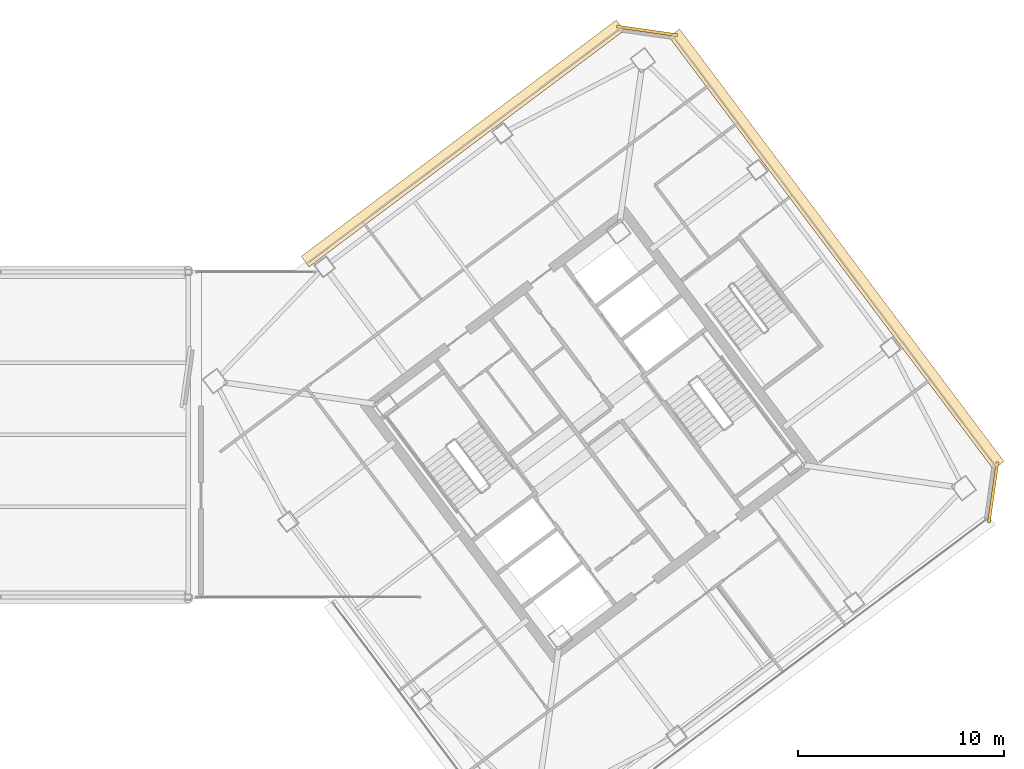
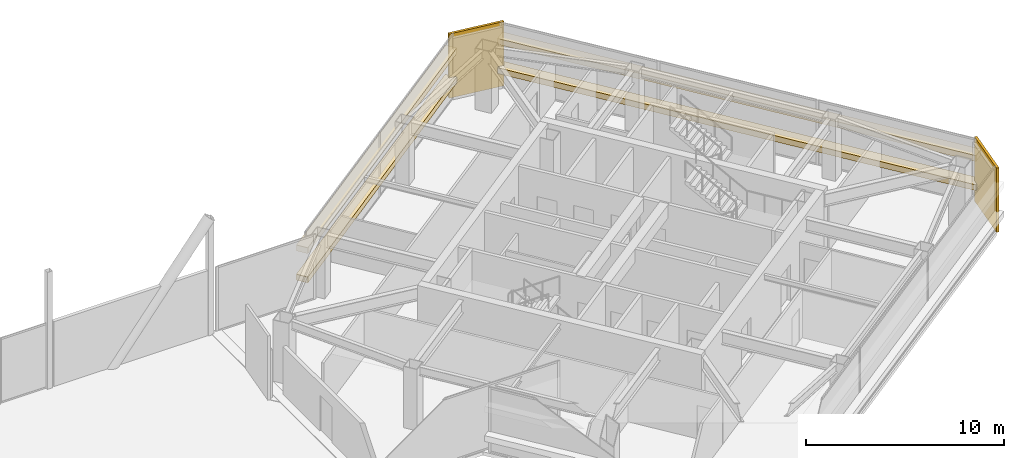
# One storey, part 52 of 53: 6 coverings.
"""IFC4 building model written with IfcOpenShell, lengths in metres."""

import ifcopenshell
import ifcopenshell.guid

model = None  # the IFC model being written
_history = None  # IfcOwnerHistory: only IFC2X3 demands one
_inside = {}  # id of a spatial element -> (the spatial element, [elements in it])
_under = {}  # id of a project, library or spatial element -> (it, [spatial elements below it])
_declared = {}  # id of a project -> (the project, [libraries it declares])
_typed = {}  # id of a type object -> (the type object, [elements of that type])
_made_of = {}  # id of a material, layer set ... -> (it, [elements and type objects made of it])


def new_model(schema):
    """Start an empty IFC model of exactly this schema.

    Asked for "IFC4X3", IfcOpenShell would pick the latest addendum, in which some entities
    have other attributes; the version numbers below select the first issue.
    IFC2X3 requires an IfcOwnerHistory on every rooted entity: one is made here for all.
    """
    global model, _history
    if schema == "IFC4X3":
        model = ifcopenshell.file(schema_version=(4, 3, 0, 0))
    else:
        model = ifcopenshell.file(schema=schema)
    _inside.clear()
    _under.clear()
    _declared.clear()
    _typed.clear()
    _made_of.clear()
    _history = None
    if model.schema == "IFC2X3":
        org = make("IfcOrganization", Name="unknown")
        user = make(
            "IfcPersonAndOrganization",
            ThePerson=make("IfcPerson", FamilyName="unknown"),
            TheOrganization=org,
        )
        app = make(
            "IfcApplication",
            ApplicationDeveloper=org,
            Version="unknown",
            ApplicationFullName="unknown",
            ApplicationIdentifier="unknown",
        )
        _history = make(
            "IfcOwnerHistory",
            OwningUser=user,
            OwningApplication=app,
            ChangeAction="ADDED",
            CreationDate=0,
        )
    return model


def make(cls, **values):
    """One entity of the class cls with the attributes given. An attribute that is None is left unset."""
    return model.create_entity(
        cls, **{name: value for name, value in values.items() if value is not None}
    )


def rooted(cls, **values):
    """An entity with a GlobalId (a new one), such as an element, a storey or a relation."""
    return make(cls, GlobalId=ifcopenshell.guid.new(), OwnerHistory=_history, **values)


def si_unit(unit_type, name, prefix=None):
    """IfcSIUnit, for example si_unit("LENGTHUNIT", "METRE", prefix="MILLI")."""
    return make("IfcSIUnit", UnitType=unit_type, Prefix=prefix, Name=name)


def assignment(units):
    """IfcUnitAssignment: the units of a project."""
    return None if units is None else make("IfcUnitAssignment", Units=units)


def point(xyz):
    """IfcCartesianPoint."""
    return None if xyz is None else make("IfcCartesianPoint", Coordinates=xyz)


def direction(xyz):
    """IfcDirection."""
    return None if xyz is None else make("IfcDirection", DirectionRatios=xyz)


def frame(location, z_axis=None, x_axis=None):
    """IfcAxis2Placement3D, a coordinate frame: its origin and axes. An axis left out is left unset."""
    return make(
        "IfcAxis2Placement3D",
        Location=point(location),
        Axis=direction(z_axis),
        RefDirection=direction(x_axis),
    )


def frame_2d(location, x_axis=None):
    """IfcAxis2Placement2D, a coordinate frame in the plane: its origin and x axis."""
    return make(
        "IfcAxis2Placement2D", Location=point(location), RefDirection=direction(x_axis)
    )


def origin():
    """The frame at (0, 0, 0) with its axes left unset."""
    return frame((0.0, 0.0, 0.0))


def origin_2d():
    """The frame at (0, 0) in the plane with its x axis left unset."""
    return frame_2d((0.0, 0.0))


def place(relative_to, where):
    """IfcLocalPlacement: puts the frame where relative to a parent placement (None: the world)."""
    return make(
        "IfcLocalPlacement", PlacementRelTo=relative_to, RelativePlacement=where
    )


def context(
    kind, dimensions, precision=None, world=None, true_north=None, identifier=None
):
    """IfcGeometricRepresentationContext, for example the 3D "Model" context."""
    return make(
        "IfcGeometricRepresentationContext",
        ContextIdentifier=identifier,
        ContextType=kind,
        CoordinateSpaceDimension=dimensions,
        Precision=precision,
        WorldCoordinateSystem=world,
        TrueNorth=true_north,
    )


def subcontext(parent, identifier, kind, view, scale=None):
    """IfcGeometricRepresentationSubContext, for example "Body" below "Model"."""
    return make(
        "IfcGeometricRepresentationSubContext",
        ContextIdentifier=identifier,
        ContextType=kind,
        ParentContext=parent,
        TargetScale=scale,
        TargetView=view,
    )


def project(units=None, contexts=None):
    """IfcProject with its units and contexts."""
    return rooted(
        "IfcProject",
        Name="project",
        RepresentationContexts=contexts,
        UnitsInContext=assignment(units),
    )


def spatial(cls, under=None, at=None, **own):
    """A site, building, storey or space (cls), placed at a placement, below another one or the project."""
    s = rooted(cls, ObjectPlacement=at, **own)
    if under is not None:
        _under.setdefault(under.id(), (under, []))[1].append(s)
    return s


def profile(cls, at=None, kind="AREA", **sizes):
    """A parametric profile (cls). Its sizes go by their IFC names, for example OverallWidth=200.0."""
    return make(cls, ProfileType=kind, Position=at, **sizes)


def rectangle(**sizes):
    """IfcRectangleProfileDef."""
    return profile("IfcRectangleProfileDef", **sizes)


def extrude(swept, where, along, depth):
    """IfcExtrudedAreaSolid: the profile swept, set in the frame where, extruded along a direction by depth."""
    return make(
        "IfcExtrudedAreaSolid",
        SweptArea=swept,
        Position=where,
        ExtrudedDirection=direction(along),
        Depth=depth,
    )


def shape(context_of_items, identifier, shape_type, items):
    """IfcShapeRepresentation: the items that make up one representation, for example the "Body"."""
    return make(
        "IfcShapeRepresentation",
        ContextOfItems=context_of_items,
        RepresentationIdentifier=identifier,
        RepresentationType=shape_type,
        Items=items,
    )


def material(Name=None, Category=None):
    """IfcMaterial."""
    return make("IfcMaterial", Name=Name, Category=Category)


def layer(
    of_material, thickness, ventilated=None, Name=None, Category=None, Priority=None
):
    """IfcMaterialLayer: one layer of a wall or slab, of a material (None: an air gap)."""
    return make(
        "IfcMaterialLayer",
        Material=of_material,
        LayerThickness=thickness,
        IsVentilated=ventilated,
        Name=Name,
        Category=Category,
        Priority=Priority,
    )


def layer_set(layers, Name=None):
    """IfcMaterialLayerSet."""
    return make("IfcMaterialLayerSet", MaterialLayers=layers, LayerSetName=Name)


def made_of(thing, what):
    """Note that an element or type object is made of a material, layer set ...; save() writes the relation."""
    if what is not None:
        _made_of.setdefault(what.id(), (what, []))[1].append(thing)
    return thing


def type_object(cls, material=None, **own):
    """A type object (cls), such as IfcWallType, which elements share."""
    return made_of(rooted(cls, **own), material)


def element(
    cls,
    number,
    at=None,
    inside=None,
    cuts=None,
    type_object=None,
    material=None,
    context=None,
    identifier="Body",
    shape_type=None,
    held_by="IfcProductDefinitionShape",
    body=None,
    shapes=None,
    **own,
):
    """One element of the class cls, such as IfcWall. Its Tag is "e" and its number.

    at: its placement. inside: the storey or other place that contains it. cuts: it is an
    opening in that element (IfcRelVoidsElement). A single representation is given by context,
    identifier, shape_type and body (its items); several are given by shapes. held_by: the class
    of the entity that holds the representations. save() writes the other relations.
    """
    e = rooted(cls, Tag="e%d" % number, ObjectPlacement=at, **own)
    if body is not None:
        shapes = [shape(context, identifier, shape_type, body)]
    if shapes is not None:
        e.Representation = make(held_by, Representations=shapes)
    if inside is not None:
        _inside.setdefault(inside.id(), (inside, []))[1].append(e)
    if cuts is not None:
        rooted(
            "IfcRelVoidsElement", RelatingBuildingElement=cuts, RelatedOpeningElement=e
        )
    if type_object is not None:
        _typed.setdefault(type_object.id(), (type_object, []))[1].append(e)
    return made_of(e, material)


def aggregate(whole, parts):
    """IfcRelAggregates: a whole, such as a stair, and the parts it consists of."""
    return rooted("IfcRelAggregates", RelatingObject=whole, RelatedObjects=parts)


def save(model, path):
    """Write the relations noted so far, then the file.

    IfcRelAggregates (storeys below a building ...), IfcRelContainedInSpatialStructure (elements
    in a storey), IfcRelDefinesByType, IfcRelAssociatesMaterial and IfcRelDeclares: one each for
    every whole, place, type object, material and project.
    """
    for whole, parts in _under.values():
        aggregate(whole, parts)
    for where, things in _inside.values():
        rooted(
            "IfcRelContainedInSpatialStructure",
            RelatedElements=things,
            RelatingStructure=where,
        )
    for kind, things in _typed.values():
        rooted("IfcRelDefinesByType", RelatedObjects=things, RelatingType=kind)
    for what, things in _made_of.values():
        rooted("IfcRelAssociatesMaterial", RelatedObjects=things, RelatingMaterial=what)
    for by, libraries in _declared.values():
        rooted("IfcRelDeclares", RelatingContext=by, RelatedDefinitions=libraries)
    model.write(path)


model = new_model("IFC4")

# Units and contexts
model_context = context("Model", 3, precision=1e-05, world=origin(), true_north=direction((0.0, 1.0)))
body_context = subcontext(model_context, "Body", "Model", "MODEL_VIEW")
ifc_project = project(units=[si_unit("LENGTHUNIT", "METRE"), si_unit("AREAUNIT", "SQUARE_METRE"), si_unit("VOLUMEUNIT", "CUBIC_METRE"), si_unit("PLANEANGLEUNIT", "RADIAN"), si_unit("MASSUNIT", "GRAM", prefix="KILO")], contexts=[model_context])

# Site, building, storey
site_placement = place(None, origin())
site = spatial("IfcSite", under=ifc_project, at=site_placement, CompositionType="ELEMENT")
building_placement = place(site_placement, origin())
building = spatial("IfcBuilding", under=site, at=building_placement, Name="Tashvorn Skyway Center", CompositionType="ELEMENT")
storey_placement = place(building_placement, frame((0.0, 0.0, 255.39990234375)))
storey = spatial("IfcBuildingStorey", under=building, at=storey_placement, Name="L69", CompositionType="ELEMENT", Elevation=255.39990234375)

# Coverings
ifc_material_1 = material(Name="Perforated ceramic-coated bronze aluminium solar screen", Category="aluminium")
ifc_layer_1 = layer(ifc_material_1, 0.85009765625)
ifc_layer_set_1 = layer_set([ifc_layer_1], Name="Perforated ceramic-coated bronze aluminium solar screen")
covering_type_1 = type_object("IfcCoveringType", Name="COV-SOLAR-BAND", PredefinedType="CLADDING", material=ifc_layer_set_1)
for number, where, z_axis, x_axis, name in (
    (1, (107.840087890625, 46.155029296875, 0.919921875), (0.0, 0.0, 1.0), (0.799999996291, 0.600000004945, 0.0), "L69 Perforated Ceramic-Metal Solar Screen Louvre Band North 1"),
    (2, (107.840087890625, 46.155029296875, 2.72021484375), (0.0, 0.0, 1.0), (0.799999996291, 0.600000004945, 0.0), "L69 Perforated Ceramic-Metal Solar Screen Louvre Band North 2"),
):
    element("IfcCovering", number, at=place(storey_placement, frame(where, z_axis=z_axis, x_axis=x_axis)), inside=storey, type_object=covering_type_1, Name=name, PredefinedType="CLADDING", context=body_context, shape_type="SweptSolid", body=[
        extrude(rectangle(XDim=19.14990234375, YDim=0.639892578125, at=origin_2d()), origin(), (0.0, 0.0, 1.0), 0.360107421875),
    ])
for number, where, z_axis, x_axis, name in (
    (3, (126.01611328125, 41.011962890625, 0.919921875), (0.0, 0.0, 1.0), (0.600000004945, -0.799999996291, 0.0), "L69 Perforated Ceramic-Metal Solar Screen Louvre Band East 1"),
    (4, (126.01611328125, 41.011962890625, 2.72021484375), (0.0, 0.0, 1.0), (0.600000004945, -0.799999996291, 0.0), "L69 Perforated Ceramic-Metal Solar Screen Louvre Band East 2"),
):
    element("IfcCovering", number, at=place(storey_placement, frame(where, z_axis=z_axis, x_axis=x_axis)), inside=storey, type_object=covering_type_1, Name=name, PredefinedType="CLADDING", context=body_context, shape_type="SweptSolid", body=[
        extrude(rectangle(XDim=26.280029296875, YDim=0.639892578125, at=origin_2d()), origin(), (0.0, 0.0, 1.0), 0.360107421875),
    ])
ifc_material_2 = material(Name="Precast concrete C40/50", Category="concrete")
ifc_layer_2 = layer(ifc_material_2, 0.35009765625)
ifc_layer_set_2 = layer_set([ifc_layer_2], Name="Precast concrete C40/50")
covering_type_2 = type_object("IfcCoveringType", Name="COV-STONE-TRIM", PredefinedType="CLADDING", material=ifc_layer_set_2)
for number, where, z_axis, x_axis, name in (
    (5, (116.803955078125, 51.6279296875, 0.02001953125), (0.0, 0.0, 1.0), (0.989949494535, -0.141421350118, 0.0), "Tower 2 L69 NE Mojave Limestone Corner Quoin"),
    (6, (133.6279296875, 29.196044921875, 0.02001953125), (0.0, 0.0, 1.0), (0.141421350118, 0.989949494535, 0.0), "Tower 2 L69 SE Mojave Limestone Corner Quoin"),
):
    element("IfcCovering", number, at=place(storey_placement, frame(where, z_axis=z_axis, x_axis=x_axis)), inside=storey, type_object=covering_type_2, Name=name, PredefinedType="CLADDING", context=body_context, shape_type="SweptSolid", body=[
        extrude(rectangle(XDim=2.98828125, YDim=0.139892578125, at=origin_2d()), origin(), (0.0, 0.0, 1.0), 3.9599609375),
    ])

save(model, "model.ifc")
